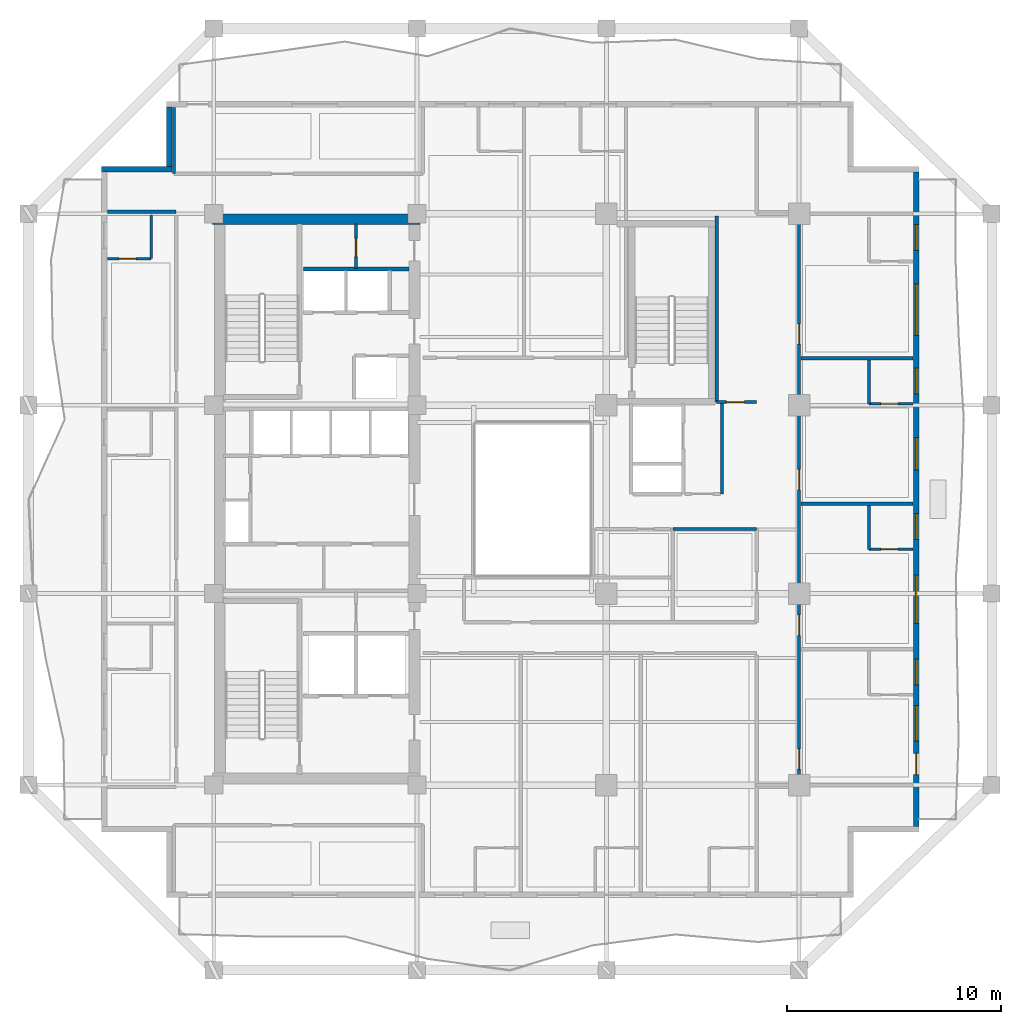
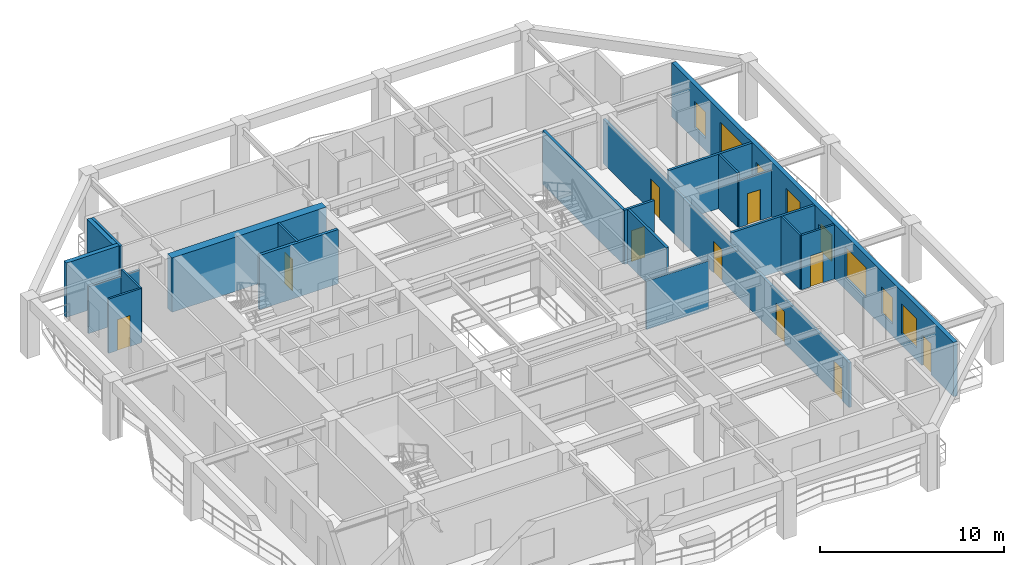
# One storey, part 6 of 11: 21 walls, 10 doors, 8 windows, 18 openings.
"""IFC4 building model written with IfcOpenShell, lengths in metres."""

from ifc_helpers import new_model, si_unit, direction, frame, frame_2d, origin, place, context, subcontext, project, spatial, rectangle, extrude, material, layer, layer_set, type_object, element, fill, save


model = new_model("IFC4")

# Units and contexts
model_context = context("Model", 3, precision=1e-05, world=origin(), true_north=direction((0.0, 1.0)))
body_context = subcontext(model_context, "Body", "Model", "MODEL_VIEW")
ifc_project = project(units=[si_unit("LENGTHUNIT", "METRE"), si_unit("AREAUNIT", "SQUARE_METRE"), si_unit("VOLUMEUNIT", "CUBIC_METRE"), si_unit("PLANEANGLEUNIT", "RADIAN"), si_unit("MASSUNIT", "GRAM", prefix="KILO")], contexts=[model_context])

# Site, building, storey
site_placement = place(None, origin())
site = spatial("IfcSite", under=ifc_project, at=site_placement, CompositionType="ELEMENT")
building_placement = place(site_placement, origin())
building = spatial("IfcBuilding", under=site, at=building_placement, Name="Kundavana Baori Tower", CompositionType="ELEMENT")
storey_placement = place(building_placement, frame((0.0, 0.0, 130.949951171875)))
storey = spatial("IfcBuildingStorey", under=building, at=storey_placement, Name="L31", CompositionType="ELEMENT", Elevation=130.949951171875)

# Wall
ifc_material_1 = material(Name="Concrete C50/60", Category="concrete")
ifc_layer_1 = layer(ifc_material_1, 0.5, Name="WL-CORE-500")
ifc_layer_set_1 = layer_set([ifc_layer_1], Name="Concrete C50/60")
wall_type_1 = type_object("IfcWallType", Name="WL-CORE-500", PredefinedType="SHEAR", material=ifc_layer_set_1)
wall_1_placement = place(storey_placement, frame((15.39990234375, 41.68994140625, 0.0), z_axis=(0.0, 0.0, 1.0), x_axis=(1.0, 0.0, 0.0)))
element("IfcWall", 1, at=wall_1_placement, inside=storey, type_object=wall_type_1, Name="L31 Offset Core North Shear Wall", PredefinedType="SHEAR", context=body_context, shape_type="SweptSolid", body=[
    extrude(rectangle(XDim=9.68017578125, YDim=0.5, at=frame_2d((4.840087890625, 0.0))), origin(), (0.0, 0.0, 1.0), 3.60009765625),
])

# Wall, openings, door, windows
ifc_material_2 = material(Name="Kiln-Fired Terracotta Brick-Slip Masonry on Concrete C40/50", Category="masonry")
ifc_layer_2 = layer(ifc_material_2, 0.260009765625, Name="WL-EXT-BRK-260")
ifc_layer_set_2 = layer_set([ifc_layer_2], Name="Kiln-Fired Terracotta Brick-Slip Masonry on Concrete C40/50")
wall_type_2 = type_object("IfcWallType", Name="WL-EXT-BRK-260", PredefinedType="SOLIDWALL", material=ifc_layer_set_2)
wall_2_placement = place(storey_placement, frame((48.27001953125, 13.31005859375, 0.0), z_axis=(0.0, 0.0, 1.0), x_axis=(0.0, 1.0, 0.0)))
wall_2 = element("IfcWall", 2, at=wall_2_placement, inside=storey, type_object=wall_type_2, Name="L31 Exterior Insulated Facade Wall 04", PredefinedType="SOLIDWALL", context=body_context, shape_type="SweptSolid", body=[
    extrude(rectangle(XDim=30.579833984375, YDim=0.260009765625, at=frame_2d((15.2900390625, 0.0))), origin(), (0.0, 0.0, 1.0), 3.60009765625),
])
opening_1_placement = place(wall_2_placement, frame((2.429931640625, 0.0, 0.0)))
opening_1 = element("IfcOpeningElement", 3, at=opening_1_placement, cuts=wall_2, Name="Opening BD-1", PredefinedType="OPENING", context=body_context, shape_type="SweptSolid", body=[
    extrude(rectangle(XDim=1.0, YDim=2.050048828125, at=frame_2d((0.5, 1.02490234375))), frame((0.0, 0.14013671875, 0.0), z_axis=(0.0, -1.0, 0.0), x_axis=(1.0, 0.0, 0.0)), (0.0, 0.0, 1.0), 0.280029296875),
])
opening_2_placement = place(wall_2_placement, frame((4.0, 0.0, 0.800048828125)))
opening_2 = element("IfcOpeningElement", 4, at=opening_2_placement, cuts=wall_2, Name="Opening W-08", PredefinedType="OPENING", context=body_context, shape_type="SweptSolid", body=[
    extrude(rectangle(XDim=1.64990234375, YDim=1.949951171875, at=frame_2d((0.824951171875, 0.97509765625))), frame((0.0, 0.14013671875, 0.0), z_axis=(0.0, -1.0, 0.0), x_axis=(1.0, 0.0, 0.0)), (0.0, 0.0, 1.0), 0.280029296875),
])
opening_3_placement = place(wall_2_placement, frame((6.625, 0.0, 0.800048828125)))
opening_3 = element("IfcOpeningElement", 5, at=opening_3_placement, cuts=wall_2, Name="Opening W-03", PredefinedType="OPENING", context=body_context, shape_type="SweptSolid", body=[
    extrude(rectangle(XDim=1.199951171875, YDim=1.75, at=frame_2d((0.60009765625, 0.875))), frame((0.0, 0.14013671875, 0.0), z_axis=(0.0, -1.0, 0.0), x_axis=(1.0, 0.0, 0.0)), (0.0, 0.0, 1.0), 0.280029296875),
])
opening_4_placement = place(wall_2_placement, frame((9.5, 0.0, 0.800048828125)))
opening_4 = element("IfcOpeningElement", 6, at=opening_4_placement, cuts=wall_2, Name="Opening W-10", PredefinedType="OPENING", context=body_context, shape_type="SweptSolid", body=[
    extrude(rectangle(XDim=2.25, YDim=2.0, at=frame_2d((1.125, 1.0))), frame((0.0, 0.14013671875, 0.0), z_axis=(0.0, -1.0, 0.0), x_axis=(1.0, 0.0, 0.0)), (0.0, 0.0, 1.0), 0.280029296875),
])
opening_5_placement = place(wall_2_placement, frame((13.425048828125, 0.0, 0.800048828125)))
opening_5 = element("IfcOpeningElement", 7, at=opening_5_placement, cuts=wall_2, Name="Opening W-03", PredefinedType="OPENING", context=body_context, shape_type="SweptSolid", body=[
    extrude(rectangle(XDim=1.199951171875, YDim=1.75, at=frame_2d((0.60009765625, 0.875))), frame((0.0, 0.14013671875, 0.0), z_axis=(0.0, -1.0, 0.0), x_axis=(1.0, 0.0, 0.0)), (0.0, 0.0, 1.0), 0.280029296875),
])
opening_6_placement = place(wall_2_placement, frame((16.675048828125, 0.0, 0.800048828125)))
opening_6 = element("IfcOpeningElement", 8, at=opening_6_placement, cuts=wall_2, Name="Opening W-02", PredefinedType="OPENING", context=body_context, shape_type="SweptSolid", body=[
    extrude(rectangle(XDim=1.5, YDim=2.0, at=frame_2d((0.75, 1.0))), frame((0.0, 0.14013671875, 0.0), z_axis=(0.0, -1.0, 0.0), x_axis=(1.0, 0.0, 0.0)), (0.0, 0.0, 1.0), 0.280029296875),
])
opening_7_placement = place(wall_2_placement, frame((20.22509765625, 0.0, 0.800048828125)))
opening_7 = element("IfcOpeningElement", 9, at=opening_7_placement, cuts=wall_2, Name="Opening W-03", PredefinedType="OPENING", context=body_context, shape_type="SweptSolid", body=[
    extrude(rectangle(XDim=1.199951171875, YDim=1.75, at=frame_2d((0.60009765625, 0.875))), frame((0.0, 0.14013671875, 0.0), z_axis=(0.0, -1.0, 0.0), x_axis=(1.0, 0.0, 0.0)), (0.0, 0.0, 1.0), 0.280029296875),
])
opening_8_placement = place(wall_2_placement, frame((22.949951171875, 0.0, 0.800048828125)))
opening_8 = element("IfcOpeningElement", 10, at=opening_8_placement, cuts=wall_2, Name="Opening W-04", PredefinedType="OPENING", context=body_context, shape_type="SweptSolid", body=[
    extrude(rectangle(XDim=2.39990234375, YDim=2.050048828125, at=frame_2d((1.199951171875, 1.02490234375))), frame((0.0, 0.14013671875, 0.0), z_axis=(0.0, -1.0, 0.0), x_axis=(1.0, 0.0, 0.0)), (0.0, 0.0, 1.0), 0.280029296875),
])
opening_9_placement = place(wall_2_placement, frame((26.925048828125, 0.0, 0.800048828125)))
opening_9 = element("IfcOpeningElement", 11, at=opening_9_placement, cuts=wall_2, Name="Opening W-03", PredefinedType="OPENING", context=body_context, shape_type="SweptSolid", body=[
    extrude(rectangle(XDim=1.199951171875, YDim=1.75, at=frame_2d((0.60009765625, 0.875))), frame((0.0, 0.14013671875, 0.0), z_axis=(0.0, -1.0, 0.0), x_axis=(1.0, 0.0, 0.0)), (0.0, 0.0, 1.0), 0.280029296875),
])
ifc_material_3 = material(Name="Architectural Patinated Bronze Metalwork")
door_type_1 = type_object("IfcDoorType", Name="DR-EXT-LOG-1000", OperationType="NOTDEFINED", PredefinedType="DOOR", material=ifc_material_3)
door_1_placement = place(opening_1_placement, frame((1.0, 0.0, 0.0), z_axis=(0.0, 0.0, 1.0), x_axis=(-1.0, 0.0, 0.0)))
door_1 = element("IfcDoor", 12, at=door_1_placement, inside=storey, type_object=door_type_1, Name="L31 Loggia Balcony Access Door E", OperationType="SINGLE_SWING_RIGHT", OverallHeight=2.050048828125, OverallWidth=1.0, PredefinedType="DOOR", context=body_context, shape_type="SweptSolid", body=[
    extrude(rectangle(XDim=1.0, YDim=2.050048828125, at=frame_2d((0.5, 1.02490234375))), frame((0.0, 0.02490234375, 0.0), z_axis=(0.0, -1.0, 0.0), x_axis=(1.0, 0.0, 0.0)), (0.0, 0.0, 1.0), 0.050048828125),
])
fill(opening_1, door_1)
ifc_material_4 = material(Name="Double-Glazed Solar-Control Low-E Insulated Glass", Category="glass")
window_type_1 = type_object("IfcWindowType", Name="WIN-LOG-1200x1750", PartitioningType="SINGLE_PANEL", PredefinedType="WINDOW", material=ifc_material_4)
window_1_placement = place(opening_3_placement, origin())
window_1 = element("IfcWindow", 13, at=window_1_placement, inside=storey, type_object=window_type_1, Name="L31 Recessed Loggia Window E-2", OverallHeight=1.75, OverallWidth=1.199951171875, PartitioningType="SINGLE_PANEL", PredefinedType="WINDOW", context=body_context, shape_type="SweptSolid", body=[
    extrude(rectangle(XDim=1.199951171875, YDim=1.75, at=frame_2d((0.60009765625, 0.875))), frame((0.0, 0.030029296875, 0.0), z_axis=(0.0, -1.0, 0.0), x_axis=(1.0, 0.0, 0.0)), (0.0, 0.0, 1.0), 0.06005859375),
])
fill(opening_3, window_1)
window_2_placement = place(opening_5_placement, origin())
window_2 = element("IfcWindow", 14, at=window_2_placement, inside=storey, type_object=window_type_1, Name="L31 Recessed Loggia Window E-4", OverallHeight=1.75, OverallWidth=1.199951171875, PartitioningType="SINGLE_PANEL", PredefinedType="WINDOW", context=body_context, shape_type="SweptSolid", body=[
    extrude(rectangle(XDim=1.199951171875, YDim=1.75, at=frame_2d((0.60009765625, 0.875))), frame((0.0, 0.030029296875, 0.0), z_axis=(0.0, -1.0, 0.0), x_axis=(1.0, 0.0, 0.0)), (0.0, 0.0, 1.0), 0.06005859375),
])
fill(opening_5, window_2)
window_3_placement = place(opening_7_placement, origin())
window_3 = element("IfcWindow", 15, at=window_3_placement, inside=storey, type_object=window_type_1, Name="L31 Recessed Loggia Window E-6", OverallHeight=1.75, OverallWidth=1.199951171875, PartitioningType="SINGLE_PANEL", PredefinedType="WINDOW", context=body_context, shape_type="SweptSolid", body=[
    extrude(rectangle(XDim=1.199951171875, YDim=1.75, at=frame_2d((0.60009765625, 0.875))), frame((0.0, 0.030029296875, 0.0), z_axis=(0.0, -1.0, 0.0), x_axis=(1.0, 0.0, 0.0)), (0.0, 0.0, 1.0), 0.06005859375),
])
fill(opening_7, window_3)
window_4_placement = place(opening_9_placement, origin())
window_4 = element("IfcWindow", 16, at=window_4_placement, inside=storey, type_object=window_type_1, Name="L31 Recessed Loggia Window E-8", OverallHeight=1.75, OverallWidth=1.199951171875, PartitioningType="SINGLE_PANEL", PredefinedType="WINDOW", context=body_context, shape_type="SweptSolid", body=[
    extrude(rectangle(XDim=1.199951171875, YDim=1.75, at=frame_2d((0.60009765625, 0.875))), frame((0.0, 0.030029296875, 0.0), z_axis=(0.0, -1.0, 0.0), x_axis=(1.0, 0.0, 0.0)), (0.0, 0.0, 1.0), 0.06005859375),
])
fill(opening_9, window_4)
ifc_material_5 = material(Name="Double-Glazed Solar-Control Low-E Insulated Glass", Category="glass")
window_type_2 = type_object("IfcWindowType", Name="WIN-LOG-1500x2000", PartitioningType="SINGLE_PANEL", PredefinedType="WINDOW", material=ifc_material_5)
window_5_placement = place(opening_6_placement, origin())
window_5 = element("IfcWindow", 17, at=window_5_placement, inside=storey, type_object=window_type_2, Name="L31 Recessed Loggia Window E-5", OverallHeight=2.0, OverallWidth=1.5, PartitioningType="SINGLE_PANEL", PredefinedType="WINDOW", context=body_context, shape_type="SweptSolid", body=[
    extrude(rectangle(XDim=1.5, YDim=2.0, at=frame_2d((0.75, 1.0))), frame((0.0, 0.030029296875, 0.0), z_axis=(0.0, -1.0, 0.0), x_axis=(1.0, 0.0, 0.0)), (0.0, 0.0, 1.0), 0.06005859375),
])
fill(opening_6, window_5)
ifc_material_6 = material(Name="Double-Glazed Solar-Control Low-E Insulated Glass", Category="glass")
window_type_3 = type_object("IfcWindowType", Name="WIN-LOG-1650x1950", PartitioningType="SINGLE_PANEL", PredefinedType="WINDOW", material=ifc_material_6)
window_6_placement = place(opening_2_placement, origin())
window_6 = element("IfcWindow", 18, at=window_6_placement, inside=storey, type_object=window_type_3, Name="L31 Recessed Loggia Window E-1", OverallHeight=1.949951171875, OverallWidth=1.64990234375, PartitioningType="SINGLE_PANEL", PredefinedType="WINDOW", context=body_context, shape_type="SweptSolid", body=[
    extrude(rectangle(XDim=1.64990234375, YDim=1.949951171875, at=frame_2d((0.824951171875, 0.97509765625))), frame((0.0, 0.030029296875, 0.0), z_axis=(0.0, -1.0, 0.0), x_axis=(1.0, 0.0, 0.0)), (0.0, 0.0, 1.0), 0.06005859375),
])
fill(opening_2, window_6)
ifc_material_7 = material(Name="Double-Glazed Solar-Control Low-E Insulated Glass", Category="glass")
window_type_4 = type_object("IfcWindowType", Name="WIN-LOG-2250x2000", PartitioningType="SINGLE_PANEL", PredefinedType="WINDOW", material=ifc_material_7)
window_7_placement = place(opening_4_placement, origin())
window_7 = element("IfcWindow", 19, at=window_7_placement, inside=storey, type_object=window_type_4, Name="L31 Recessed Loggia Window E-3", OverallHeight=2.0, OverallWidth=2.25, PartitioningType="SINGLE_PANEL", PredefinedType="WINDOW", context=body_context, shape_type="SweptSolid", body=[
    extrude(rectangle(XDim=2.25, YDim=2.0, at=frame_2d((1.125, 1.0))), frame((0.0, 0.030029296875, 0.0), z_axis=(0.0, -1.0, 0.0), x_axis=(1.0, 0.0, 0.0)), (0.0, 0.0, 1.0), 0.06005859375),
])
fill(opening_4, window_7)
ifc_material_8 = material(Name="Double-Glazed Solar-Control Low-E Insulated Glass", Category="glass")
window_type_5 = type_object("IfcWindowType", Name="WIN-LOG-2400x2050", PartitioningType="SINGLE_PANEL", PredefinedType="WINDOW", material=ifc_material_8)
window_8_placement = place(opening_8_placement, origin())
window_8 = element("IfcWindow", 20, at=window_8_placement, inside=storey, type_object=window_type_5, Name="L31 Recessed Loggia Window E-7", OverallHeight=2.050048828125, OverallWidth=2.39990234375, PartitioningType="SINGLE_PANEL", PredefinedType="WINDOW", context=body_context, shape_type="SweptSolid", body=[
    extrude(rectangle(XDim=2.39990234375, YDim=2.050048828125, at=frame_2d((1.199951171875, 1.02490234375))), frame((0.0, 0.030029296875, 0.0), z_axis=(0.0, -1.0, 0.0), x_axis=(1.0, 0.0, 0.0)), (0.0, 0.0, 1.0), 0.06005859375),
])
fill(opening_8, window_8)

# Walls
wall_3_placement = place(storey_placement, frame((13.3798828125, 46.93994140625, 0.0), z_axis=(0.0, 0.0, 1.0), x_axis=(0.0, -1.0, 0.0)))
element("IfcWall", 21, at=wall_3_placement, inside=storey, type_object=wall_type_2, Name="L31 Exterior Insulated Facade Wall 08", PredefinedType="SOLIDWALL", context=body_context, shape_type="SweptSolid", body=[
    extrude(rectangle(XDim=2.7900390625, YDim=0.260009765625, at=frame_2d((1.39501953125, 0.0))), origin(), (0.0, 0.0, 1.0), 3.60009765625),
])
wall_4_placement = place(storey_placement, frame((13.510009765625, 44.02001953125, 0.0), z_axis=(0.0, 0.0, 1.0), x_axis=(-1.0, 0.0, 0.0)))
element("IfcWall", 22, at=wall_4_placement, inside=storey, type_object=wall_type_2, Name="L31 Exterior Insulated Facade Wall 09", PredefinedType="SOLIDWALL", context=body_context, shape_type="SweptSolid", body=[
    extrude(rectangle(XDim=3.31005859375, YDim=0.260009765625, at=frame_2d((1.655029296875, 0.0))), origin(), (0.0, 0.0, 1.0), 3.60009765625),
])

# Wall, opening, door
ifc_material_9 = material(Name="Acoustic Gypsum Plasterboard on Galvanised Steel Studs", Category="steel")
ifc_layer_3 = layer(ifc_material_9, 0.1201171875, Name="WL-PART-120")
ifc_layer_set_3 = layer_set([ifc_layer_3], Name="Acoustic Gypsum Plasterboard on Galvanised Steel Studs")
wall_type_3 = type_object("IfcWallType", Name="WL-PART-120", PredefinedType="PARTITIONING", material=ifc_layer_set_3)
wall_5_placement = place(storey_placement, frame((22.10009765625, 39.39990234375, 0.0), z_axis=(0.0, 0.0, 1.0), x_axis=(0.0, 1.0, 0.0)))
wall_5 = element("IfcWall", 23, at=wall_5_placement, inside=storey, type_object=wall_type_3, Name="WL-L31-CSRV-D1", PredefinedType="PARTITIONING", context=body_context, shape_type="SweptSolid", body=[
    extrude(rectangle(XDim=2.080078125, YDim=0.1201171875, at=frame_2d((1.0400390625, 0.0))), origin(), (0.0, 0.0, 1.0), 3.60009765625),
])
opening_10_placement = place(wall_5_placement, frame((0.550048828125, 0.0, 0.0)))
opening_10 = element("IfcOpeningElement", 24, at=opening_10_placement, cuts=wall_5, Name="Opening FD-085", PredefinedType="OPENING", context=body_context, shape_type="SweptSolid", body=[
    extrude(rectangle(XDim=0.85009765625, YDim=2.06005859375, at=frame_2d((0.425048828125, 1.030029296875))), frame((0.0, 0.070068359375, 0.0), z_axis=(0.0, -1.0, 0.0), x_axis=(1.0, 0.0, 0.0)), (0.0, 0.0, 1.0), 0.14013671875),
])
ifc_material_10 = material(Name="Galvanised Steel Fire-Rated Door Leaf", Category="steel")
door_type_2 = type_object("IfcDoorType", Name="DR-FD60-850", OperationType="NOTDEFINED", PredefinedType="DOOR", material=ifc_material_10)
door_2_placement = place(opening_10_placement, origin())
door_2 = element("IfcDoor", 25, at=door_2_placement, inside=storey, type_object=door_type_2, Name="DR-L31-CSRV1", OperationType="SINGLE_SWING_LEFT", OverallHeight=2.06005859375, OverallWidth=0.85009765625, PredefinedType="DOOR", context=body_context, shape_type="SweptSolid", body=[
    extrude(rectangle(XDim=0.85009765625, YDim=2.06005859375, at=frame_2d((0.425048828125, 1.030029296875))), frame((0.0, 0.02490234375, 0.0), z_axis=(0.0, -1.0, 0.0), x_axis=(1.0, 0.0, 0.0)), (0.0, 0.0, 1.0), 0.050048828125),
])
fill(opening_10, door_2)

# Wall
ifc_material_11 = material(Name="Fire-Rated Gypsum Drywall on Galvanised Steel Studs", Category="steel")
ifc_layer_4 = layer(ifc_material_11, 0.14990234375, Name="WL-PART-150")
ifc_layer_set_4 = layer_set([ifc_layer_4], Name="Fire-Rated Gypsum Drywall on Galvanised Steel Studs")
wall_type_4 = type_object("IfcWallType", Name="WL-PART-150", PredefinedType="PARTITIONING", material=ifc_layer_set_4)
wall_6_placement = place(storey_placement, frame((39.199951171875, 28.860107421875, 0.0), z_axis=(0.0, 0.0, 1.0), x_axis=(0.0, 1.0, 0.0)))
element("IfcWall", 26, at=wall_6_placement, inside=storey, type_object=wall_type_4, Name="WL-L31-SVLOB-E", PredefinedType="PARTITIONING", context=body_context, shape_type="SweptSolid", body=[
    extrude(rectangle(XDim=4.219970703125, YDim=0.14990234375, at=frame_2d((2.10986328125, 0.0))), origin(), (0.0, 0.0, 1.0), 3.60009765625),
])

# Wall, openings, doors
wall_7_placement = place(storey_placement, frame((42.800048828125, 15.25, 0.0), z_axis=(0.0, 0.0, 1.0), x_axis=(0.0, 1.0, 0.0)))
wall_7 = element("IfcWall", 27, at=wall_7_placement, inside=storey, type_object=wall_type_4, Name="WL-L31-HE", PredefinedType="PARTITIONING", context=body_context, shape_type="SweptSolid", body=[
    extrude(rectangle(XDim=26.699951171875, YDim=0.14990234375, at=frame_2d((13.35009765625, 0.0))), origin(), (0.0, 0.0, 1.0), 2.949951171875),
])
opening_11_placement = place(wall_7_placement, frame((0.75, 0.0, 0.0)))
opening_11 = element("IfcOpeningElement", 28, at=opening_11_placement, cuts=wall_7, Name="Opening FD-095", PredefinedType="OPENING", context=body_context, shape_type="SweptSolid", body=[
    extrude(rectangle(XDim=0.949951171875, YDim=2.10009765625, at=frame_2d((0.47509765625, 1.050048828125))), frame((0.0, 0.0849609375, 0.0), z_axis=(0.0, -1.0, 0.0), x_axis=(1.0, 0.0, 0.0)), (0.0, 0.0, 1.0), 0.169921875),
])
opening_12_placement = place(wall_7_placement, frame((7.0, 0.0, 0.0)))
opening_12 = element("IfcOpeningElement", 29, at=opening_12_placement, cuts=wall_7, Name="Opening FD-095", PredefinedType="OPENING", context=body_context, shape_type="SweptSolid", body=[
    extrude(rectangle(XDim=0.949951171875, YDim=2.10009765625, at=frame_2d((0.47509765625, 1.050048828125))), frame((0.0, 0.0849609375, 0.0), z_axis=(0.0, -1.0, 0.0), x_axis=(1.0, 0.0, 0.0)), (0.0, 0.0, 1.0), 0.169921875),
])
opening_13_placement = place(wall_7_placement, frame((13.800048828125, 0.0, 0.0)))
opening_13 = element("IfcOpeningElement", 30, at=opening_13_placement, cuts=wall_7, Name="Opening FD-095", PredefinedType="OPENING", context=body_context, shape_type="SweptSolid", body=[
    extrude(rectangle(XDim=0.949951171875, YDim=2.10009765625, at=frame_2d((0.47509765625, 1.050048828125))), frame((0.0, 0.0849609375, 0.0), z_axis=(0.0, -1.0, 0.0), x_axis=(1.0, 0.0, 0.0)), (0.0, 0.0, 1.0), 0.169921875),
])
opening_14_placement = place(wall_7_placement, frame((20.60009765625, 0.0, 0.0)))
opening_14 = element("IfcOpeningElement", 31, at=opening_14_placement, cuts=wall_7, Name="Opening FD-095", PredefinedType="OPENING", context=body_context, shape_type="SweptSolid", body=[
    extrude(rectangle(XDim=0.949951171875, YDim=2.10009765625, at=frame_2d((0.47509765625, 1.050048828125))), frame((0.0, 0.0849609375, 0.0), z_axis=(0.0, -1.0, 0.0), x_axis=(1.0, 0.0, 0.0)), (0.0, 0.0, 1.0), 0.169921875),
])
ifc_material_12 = material(Name="Engineered Teak Fire-Rated Timber Door Leaf", Category="wood")
door_type_3 = type_object("IfcDoorType", Name="DR-FD60-950", OperationType="NOTDEFINED", PredefinedType="DOOR", material=ifc_material_12)
door_3_placement = place(opening_11_placement, origin())
door_3 = element("IfcDoor", 32, at=door_3_placement, inside=storey, type_object=door_type_3, Name="DR-L31-HK-E1-ENT", OperationType="SINGLE_SWING_LEFT", OverallHeight=2.10009765625, OverallWidth=0.949951171875, PredefinedType="DOOR", context=body_context, shape_type="SweptSolid", body=[
    extrude(rectangle(XDim=0.949951171875, YDim=2.10009765625, at=frame_2d((0.47509765625, 1.050048828125))), frame((0.0, 0.02490234375, 0.0), z_axis=(0.0, -1.0, 0.0), x_axis=(1.0, 0.0, 0.0)), (0.0, 0.0, 1.0), 0.050048828125),
])
fill(opening_11, door_3)
door_4_placement = place(opening_12_placement, origin())
door_4 = element("IfcDoor", 33, at=door_4_placement, inside=storey, type_object=door_type_3, Name="DR-L31-HK-E2-ENT", OperationType="SINGLE_SWING_LEFT", OverallHeight=2.10009765625, OverallWidth=0.949951171875, PredefinedType="DOOR", context=body_context, shape_type="SweptSolid", body=[
    extrude(rectangle(XDim=0.949951171875, YDim=2.10009765625, at=frame_2d((0.47509765625, 1.050048828125))), frame((0.0, 0.02490234375, 0.0), z_axis=(0.0, -1.0, 0.0), x_axis=(1.0, 0.0, 0.0)), (0.0, 0.0, 1.0), 0.050048828125),
])
fill(opening_12, door_4)
door_5_placement = place(opening_13_placement, origin())
door_5 = element("IfcDoor", 34, at=door_5_placement, inside=storey, type_object=door_type_3, Name="DR-L31-HK-E3-ENT", OperationType="SINGLE_SWING_LEFT", OverallHeight=2.10009765625, OverallWidth=0.949951171875, PredefinedType="DOOR", context=body_context, shape_type="SweptSolid", body=[
    extrude(rectangle(XDim=0.949951171875, YDim=2.10009765625, at=frame_2d((0.47509765625, 1.050048828125))), frame((0.0, 0.02490234375, 0.0), z_axis=(0.0, -1.0, 0.0), x_axis=(1.0, 0.0, 0.0)), (0.0, 0.0, 1.0), 0.050048828125),
])
fill(opening_13, door_5)
door_6_placement = place(opening_14_placement, origin())
door_6 = element("IfcDoor", 35, at=door_6_placement, inside=storey, type_object=door_type_3, Name="DR-L31-HK-E4-ENT", OperationType="SINGLE_SWING_LEFT", OverallHeight=2.10009765625, OverallWidth=0.949951171875, PredefinedType="DOOR", context=body_context, shape_type="SweptSolid", body=[
    extrude(rectangle(XDim=0.949951171875, YDim=2.10009765625, at=frame_2d((0.47509765625, 1.050048828125))), frame((0.0, 0.02490234375, 0.0), z_axis=(0.0, -1.0, 0.0), x_axis=(1.0, 0.0, 0.0)), (0.0, 0.0, 1.0), 0.050048828125),
])
fill(opening_14, door_6)

# Walls
wall_8_placement = place(storey_placement, frame((10.47998046875, 42.0400390625, 0.0), z_axis=(0.0, 0.0, 1.0), x_axis=(1.0, 0.0, 0.0)))
element("IfcWall", 36, at=wall_8_placement, inside=storey, type_object=wall_type_4, Name="WL-L31-HWN", PredefinedType="PARTITIONING", context=body_context, shape_type="SweptSolid", body=[
    extrude(rectangle(XDim=3.219970703125, YDim=0.14990234375, at=frame_2d((1.60986328125, 0.0))), origin(), (0.0, 0.0, 1.0), 3.10009765625),
])
wall_9_placement = place(storey_placement, frame((13.590087890625, 43.820068359375, 0.0), z_axis=(0.0, 0.0, 1.0), x_axis=(0.0, 1.0, 0.0)))
element("IfcWall", 37, at=wall_9_placement, inside=storey, type_object=wall_type_4, Name="WL-L31-HNCW", PredefinedType="PARTITIONING", context=body_context, shape_type="SweptSolid", body=[
    extrude(rectangle(XDim=3.099853515625, YDim=0.14990234375, at=frame_2d((1.5498046875, 0.0))), origin(), (0.0, 0.0, 1.0), 3.60009765625),
])
wall_10_placement = place(storey_placement, frame((36.89990234375, 27.219970703125, 0.0), z_axis=(0.0, 0.0, 1.0), x_axis=(1.0, 0.0, 0.0)))
element("IfcWall", 38, at=wall_10_placement, inside=storey, type_object=wall_type_4, Name="WL-L31-HKN", PredefinedType="PARTITIONING", context=body_context, shape_type="SweptSolid", body=[
    extrude(rectangle(XDim=3.920166015625, YDim=0.14990234375, at=frame_2d((1.9599609375, 0.0))), origin(), (0.0, 0.0, 1.0), 3.199951171875),
])
for number, where, z_axis, x_axis, name in (
    (39, (42.8798828125, 28.39990234375, 0.0), (0.0, 0.0, 1.0), (1.0, 0.0, 0.0), "WL-L31-HED2"),
    (40, (42.8798828125, 35.199951171875, 0.0), (0.0, 0.0, 1.0), (1.0, 0.0, 0.0), "WL-L31-HED3"),
):
    element("IfcWall", number, at=place(storey_placement, frame(where, z_axis=z_axis, x_axis=x_axis)), inside=storey, type_object=wall_type_4, Name=name, PredefinedType="PARTITIONING", context=body_context, shape_type="SweptSolid", body=[
        extrude(rectangle(XDim=5.240234375, YDim=0.14990234375, at=frame_2d((2.6201171875, 0.0))), origin(), (0.0, 0.0, 1.0), 3.60009765625),
    ])

# Wall, opening, door
wall_11_placement = place(storey_placement, frame((38.949951171875, 33.14990234375, 0.0), z_axis=(0.0, 0.0, 1.0), x_axis=(1.0, 0.0, 0.0)))
wall_11 = element("IfcWall", 41, at=wall_11_placement, inside=storey, type_object=wall_type_4, Name="WL-L31-HNES", PredefinedType="PARTITIONING", context=body_context, shape_type="SweptSolid", body=[
    extrude(rectangle(XDim=1.8701171875, YDim=0.14990234375, at=frame_2d((0.93505859375, 0.0))), origin(), (0.0, 0.0, 1.0), 3.60009765625),
])
opening_15_placement = place(wall_11_placement, frame((0.449951171875, 0.0, 0.0)))
opening_15 = element("IfcOpeningElement", 42, at=opening_15_placement, cuts=wall_11, Name="Opening WD-085", PredefinedType="OPENING", context=body_context, shape_type="SweptSolid", body=[
    extrude(rectangle(XDim=0.85009765625, YDim=2.050048828125, at=frame_2d((0.425048828125, 1.02490234375))), frame((0.0, 0.0849609375, 0.0), z_axis=(0.0, -1.0, 0.0), x_axis=(1.0, 0.0, 0.0)), (0.0, 0.0, 1.0), 0.169921875),
])
ifc_material_13 = material(Name="Engineered Teak Solid-Core Timber Veneer", Category="wood")
door_type_4 = type_object("IfcDoorType", Name="DR-WET-850", OperationType="NOTDEFINED", PredefinedType="DOOR", material=ifc_material_13)
door_7_placement = place(opening_15_placement, origin())
door_7 = element("IfcDoor", 43, at=door_7_placement, inside=storey, type_object=door_type_4, Name="DR-L31-HLNE", OperationType="SINGLE_SWING_LEFT", OverallHeight=2.050048828125, OverallWidth=0.85009765625, PredefinedType="DOOR", context=body_context, shape_type="SweptSolid", body=[
    extrude(rectangle(XDim=0.85009765625, YDim=2.050048828125, at=frame_2d((0.425048828125, 1.02490234375))), frame((0.0, 0.02490234375, 0.0), z_axis=(0.0, -1.0, 0.0), x_axis=(1.0, 0.0, 0.0)), (0.0, 0.0, 1.0), 0.050048828125),
])
fill(opening_15, door_7)

# Walls
wall_12_placement = place(storey_placement, frame((38.949951171875, 33.14990234375, 0.0), z_axis=(0.0, 0.0, 1.0), x_axis=(0.0, 1.0, 0.0)))
element("IfcWall", 44, at=wall_12_placement, inside=storey, type_object=wall_type_4, Name="WL-L31-HNEW", PredefinedType="PARTITIONING", context=body_context, shape_type="SweptSolid", body=[
    extrude(rectangle(XDim=8.7001953125, YDim=0.14990234375, at=frame_2d((4.35009765625, 0.0))), origin(), (0.0, 0.0, 1.0), 3.60009765625),
])
ifc_material_14 = material(Name="Autoclaved Aerated Concrete Blockwork Masonry", Category="masonry")
ifc_layer_5 = layer(ifc_material_14, 0.179931640625, Name="WL-SHAFT-180")
ifc_layer_set_5 = layer_set([ifc_layer_5], Name="Autoclaved Aerated Concrete Blockwork Masonry")
wall_type_5 = type_object("IfcWallType", Name="WL-SHAFT-180", PredefinedType="SOLIDWALL", material=ifc_layer_set_5)
wall_13_placement = place(storey_placement, frame((19.639892578125, 39.360107421875, 0.0), z_axis=(0.0, 0.0, 1.0), x_axis=(1.0, 0.0, 0.0)))
element("IfcWall", 45, at=wall_13_placement, inside=storey, type_object=wall_type_5, Name="WL-L31-HRLOB-TOP", PredefinedType="SOLIDWALL", context=body_context, shape_type="SweptSolid", body=[
    extrude(rectangle(XDim=4.940185546875, YDim=0.179931640625, at=frame_2d((2.47021484375, 0.0))), origin(), (0.0, 0.0, 1.0), 3.60009765625),
])
ifc_material_15 = material(Name="Autoclaved Aerated Concrete Blockwork Masonry", Category="masonry")
ifc_layer_6 = layer(ifc_material_15, 0.125, Name="WL-WET-120")
ifc_layer_set_6 = layer_set([ifc_layer_6], Name="Autoclaved Aerated Concrete Blockwork Masonry")
wall_type_6 = type_object("IfcWallType", Name="WL-WET-120", PredefinedType="PLUMBINGWALL", material=ifc_layer_set_6)
wall_14_placement = place(storey_placement, frame((12.530029296875, 39.85009765625, 0.0), z_axis=(0.0, 0.0, 1.0), x_axis=(0.0, 1.0, 0.0)))
element("IfcWall", 46, at=wall_14_placement, inside=storey, type_object=wall_type_6, Name="WL-L31-HK-W3-BE", PredefinedType="PLUMBINGWALL", context=body_context, shape_type="SweptSolid", body=[
    extrude(rectangle(XDim=2.0498046875, YDim=0.125, at=frame_2d((1.02490234375, 0.0))), origin(), (0.0, 0.0, 1.0), 3.60009765625),
])

# Wall, opening, door
wall_15_placement = place(storey_placement, frame((10.47998046875, 39.85009765625, 0.0), z_axis=(0.0, 0.0, 1.0), x_axis=(1.0, 0.0, 0.0)))
wall_15 = element("IfcWall", 47, at=wall_15_placement, inside=storey, type_object=wall_type_6, Name="WL-L31-HK-W3-BS", PredefinedType="PLUMBINGWALL", context=body_context, shape_type="SweptSolid", body=[
    extrude(rectangle(XDim=2.050048828125, YDim=0.125, at=frame_2d((1.02490234375, 0.0))), origin(), (0.0, 0.0, 1.0), 3.60009765625),
])
opening_16_placement = place(wall_15_placement, frame((0.550048828125, 0.0, 0.0)))
opening_16 = element("IfcOpeningElement", 48, at=opening_16_placement, cuts=wall_15, Name="Opening WD-080", PredefinedType="OPENING", context=body_context, shape_type="SweptSolid", body=[
    extrude(rectangle(XDim=0.800048828125, YDim=2.050048828125, at=frame_2d((0.39990234375, 1.02490234375))), frame((0.0, 0.072509765625, 0.0), z_axis=(0.0, -1.0, 0.0), x_axis=(1.0, 0.0, 0.0)), (0.0, 0.0, 1.0), 0.14501953125),
])
ifc_material_16 = material(Name="Engineered Teak Solid-Core Timber Veneer", Category="wood")
door_type_5 = type_object("IfcDoorType", Name="DR-WET-800", OperationType="NOTDEFINED", PredefinedType="DOOR", material=ifc_material_16)
door_8_placement = place(opening_16_placement, frame((0.800048828125, 0.0, 0.0), z_axis=(0.0, 0.0, 1.0), x_axis=(-1.0, 0.0, 0.0)))
door_8 = element("IfcDoor", 49, at=door_8_placement, inside=storey, type_object=door_type_5, Name="DR-L31-HK-W3-ENS", OperationType="SINGLE_SWING_LEFT", OverallHeight=2.050048828125, OverallWidth=0.800048828125, PredefinedType="DOOR", context=body_context, shape_type="SweptSolid", body=[
    extrude(rectangle(XDim=0.800048828125, YDim=2.050048828125, at=frame_2d((0.39990234375, 1.02490234375))), frame((0.0, 0.02490234375, 0.0), z_axis=(0.0, -1.0, 0.0), x_axis=(1.0, 0.0, 0.0)), (0.0, 0.0, 1.0), 0.050048828125),
])
fill(opening_16, door_8)

# Wall
wall_16_placement = place(storey_placement, frame((46.070068359375, 26.27001953125, 0.0), z_axis=(0.0, 0.0, 1.0), x_axis=(0.0, 1.0, 0.0)))
element("IfcWall", 50, at=wall_16_placement, inside=storey, type_object=wall_type_6, Name="WL-L31-HK-E2-BW", PredefinedType="PLUMBINGWALL", context=body_context, shape_type="SweptSolid", body=[
    extrude(rectangle(XDim=2.050048828125, YDim=0.125, at=frame_2d((1.02490234375, 0.0))), origin(), (0.0, 0.0, 1.0), 3.60009765625),
])

# Wall, opening, door
wall_17_placement = place(storey_placement, frame((46.070068359375, 26.27001953125, 0.0), z_axis=(0.0, 0.0, 1.0), x_axis=(1.0, 0.0, 0.0)))
wall_17 = element("IfcWall", 51, at=wall_17_placement, inside=storey, type_object=wall_type_6, Name="WL-L31-HK-E2-BS", PredefinedType="PLUMBINGWALL", context=body_context, shape_type="SweptSolid", body=[
    extrude(rectangle(XDim=2.050048828125, YDim=0.125, at=frame_2d((1.02490234375, 0.0))), origin(), (0.0, 0.0, 1.0), 3.60009765625),
])
opening_17_placement = place(wall_17_placement, frame((0.550048828125, 0.0, 0.0)))
opening_17 = element("IfcOpeningElement", 52, at=opening_17_placement, cuts=wall_17, Name="Opening WD-080", PredefinedType="OPENING", context=body_context, shape_type="SweptSolid", body=[
    extrude(rectangle(XDim=0.800048828125, YDim=2.050048828125, at=frame_2d((0.39990234375, 1.02490234375))), frame((0.0, 0.072509765625, 0.0), z_axis=(0.0, -1.0, 0.0), x_axis=(1.0, 0.0, 0.0)), (0.0, 0.0, 1.0), 0.14501953125),
])
door_9_placement = place(opening_17_placement, frame((0.800048828125, 0.0, 0.0), z_axis=(0.0, 0.0, 1.0), x_axis=(-1.0, 0.0, 0.0)))
door_9 = element("IfcDoor", 53, at=door_9_placement, inside=storey, type_object=door_type_5, Name="DR-L31-HK-E2-ENS", OperationType="SINGLE_SWING_LEFT", OverallHeight=2.050048828125, OverallWidth=0.800048828125, PredefinedType="DOOR", context=body_context, shape_type="SweptSolid", body=[
    extrude(rectangle(XDim=0.800048828125, YDim=2.050048828125, at=frame_2d((0.39990234375, 1.02490234375))), frame((0.0, 0.02490234375, 0.0), z_axis=(0.0, -1.0, 0.0), x_axis=(1.0, 0.0, 0.0)), (0.0, 0.0, 1.0), 0.050048828125),
])
fill(opening_17, door_9)

# Wall
wall_18_placement = place(storey_placement, frame((46.070068359375, 33.070068359375, 0.0), z_axis=(0.0, 0.0, 1.0), x_axis=(0.0, 1.0, 0.0)))
element("IfcWall", 54, at=wall_18_placement, inside=storey, type_object=wall_type_6, Name="WL-L31-HK-E3-BW", PredefinedType="PLUMBINGWALL", context=body_context, shape_type="SweptSolid", body=[
    extrude(rectangle(XDim=2.050048828125, YDim=0.125, at=frame_2d((1.02490234375, 0.0))), origin(), (0.0, 0.0, 1.0), 3.60009765625),
])

# Wall, opening, door
wall_19_placement = place(storey_placement, frame((46.070068359375, 33.070068359375, 0.0), z_axis=(0.0, 0.0, 1.0), x_axis=(1.0, 0.0, 0.0)))
wall_19 = element("IfcWall", 55, at=wall_19_placement, inside=storey, type_object=wall_type_6, Name="WL-L31-HK-E3-BS", PredefinedType="PLUMBINGWALL", context=body_context, shape_type="SweptSolid", body=[
    extrude(rectangle(XDim=2.050048828125, YDim=0.125, at=frame_2d((1.02490234375, 0.0))), origin(), (0.0, 0.0, 1.0), 3.10009765625),
])
opening_18_placement = place(wall_19_placement, frame((0.550048828125, 0.0, 0.0)))
opening_18 = element("IfcOpeningElement", 56, at=opening_18_placement, cuts=wall_19, Name="Opening WD-080", PredefinedType="OPENING", context=body_context, shape_type="SweptSolid", body=[
    extrude(rectangle(XDim=0.800048828125, YDim=2.050048828125, at=frame_2d((0.39990234375, 1.02490234375))), frame((0.0, 0.072509765625, 0.0), z_axis=(0.0, -1.0, 0.0), x_axis=(1.0, 0.0, 0.0)), (0.0, 0.0, 1.0), 0.14501953125),
])
door_10_placement = place(opening_18_placement, frame((0.800048828125, 0.0, 0.0), z_axis=(0.0, 0.0, 1.0), x_axis=(-1.0, 0.0, 0.0)))
door_10 = element("IfcDoor", 57, at=door_10_placement, inside=storey, type_object=door_type_5, Name="DR-L31-HK-E3-ENS", OperationType="SINGLE_SWING_LEFT", OverallHeight=2.050048828125, OverallWidth=0.800048828125, PredefinedType="DOOR", context=body_context, shape_type="SweptSolid", body=[
    extrude(rectangle(XDim=0.800048828125, YDim=2.050048828125, at=frame_2d((0.39990234375, 1.02490234375))), frame((0.0, 0.02490234375, 0.0), z_axis=(0.0, -1.0, 0.0), x_axis=(1.0, 0.0, 0.0)), (0.0, 0.0, 1.0), 0.050048828125),
])
fill(opening_18, door_10)

save(model, "model.ifc")
